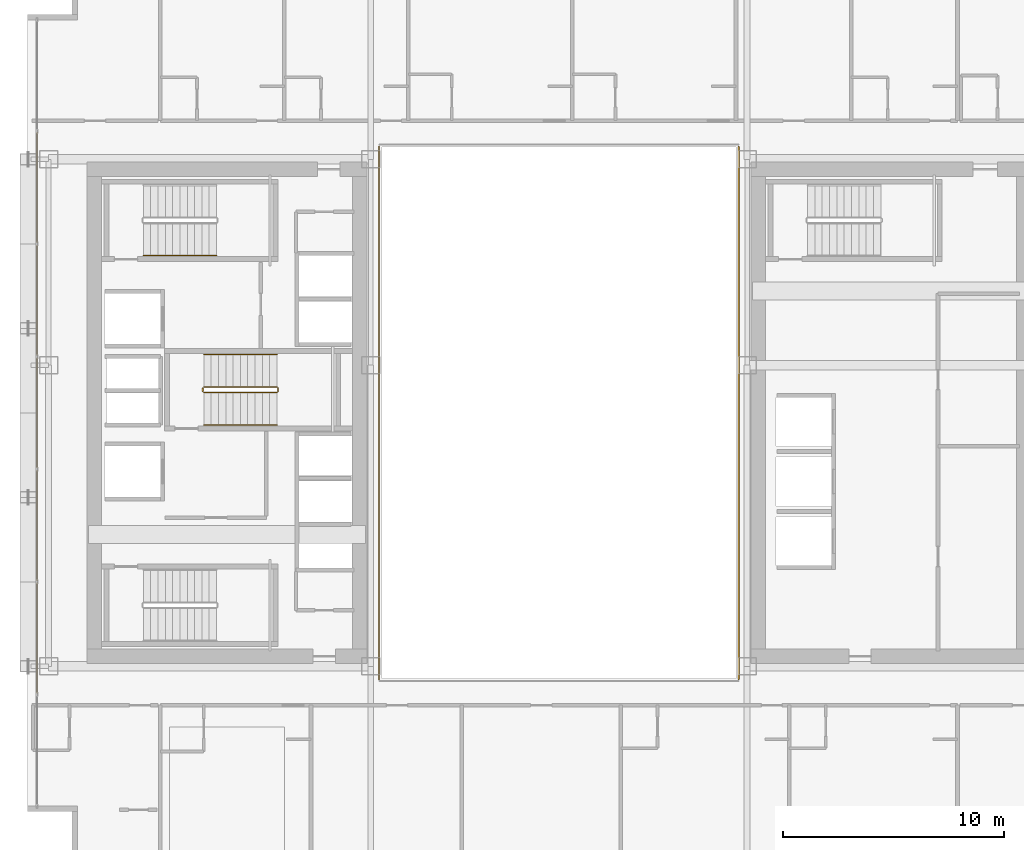
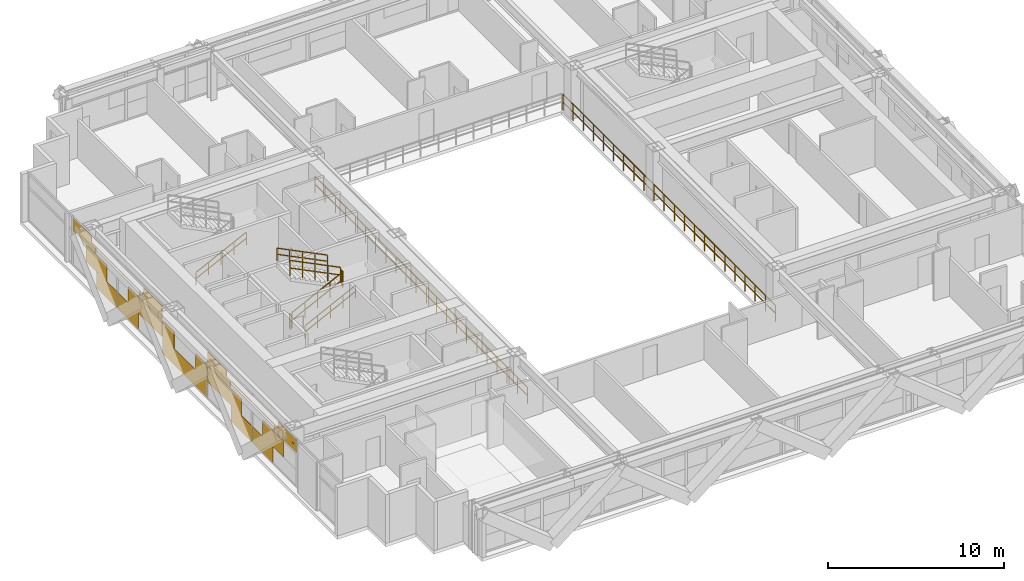
# One storey, part 33 of 35: 9 railings, 1 covering.
"""IFC4 building model written with IfcOpenShell, lengths in metres."""

from ifc_helpers import new_model, si_unit, direction, frame, origin, origin_2d, place, context, subcontext, project, spatial, rectangle, extrude, material, layer, layer_set, type_object, element, save


model = new_model("IFC4")

# Units and contexts
model_context = context("Model", 3, precision=1e-05, world=origin(), true_north=direction((0.0, 1.0)))
body_context = subcontext(model_context, "Body", "Model", "MODEL_VIEW")
ifc_project = project(units=[si_unit("LENGTHUNIT", "METRE"), si_unit("AREAUNIT", "SQUARE_METRE"), si_unit("VOLUMEUNIT", "CUBIC_METRE"), si_unit("PLANEANGLEUNIT", "RADIAN"), si_unit("MASSUNIT", "GRAM", prefix="KILO")], contexts=[model_context])

# Site, building, storey
site_placement = place(None, origin())
site = spatial("IfcSite", under=ifc_project, at=site_placement, CompositionType="ELEMENT")
building_placement = place(site_placement, origin())
building = spatial("IfcBuilding", under=site, at=building_placement, Name="Ocotamira Hotel", CompositionType="ELEMENT")
storey_placement = place(building_placement, frame((0.0, 0.0, 144.0)))
storey = spatial("IfcBuildingStorey", under=building, at=storey_placement, Name="L36", CompositionType="ELEMENT", Elevation=144.0)

# Covering
ifc_material_1 = material(Name="Insulated pale-metal aluminium spandrel panel", Category="aluminium")
ifc_layer = layer(ifc_material_1, 0.044921875)
ifc_layer_set = layer_set([ifc_layer], Name="Insulated pale-metal aluminium spandrel panel")
covering_type = type_object("IfcCoveringType", Name="COV-INFILL-45", PredefinedType="CLADDING", material=ifc_layer_set)
covering_placement = place(storey_placement, origin())
element("IfcCovering", 1, at=covering_placement, inside=storey, type_object=covering_type, Name="L36 Curtain Wall Infill CW-3 CW-L36-W", PredefinedType="CLADDING", context=body_context, shape_type="SweptSolid", body=[
    extrude(rectangle(XDim=2.35107421875, YDim=0.044921875, at=origin_2d()), frame((8.419921875, 15.988525390625, 1.1943359375), z_axis=(0.0, 0.0, 1.0), x_axis=(0.0, 1.0, 0.0)), (0.0, 0.0, 1.0), 1.117919921875),
    extrude(rectangle(XDim=2.331787109375, YDim=0.044921875, at=origin_2d()), frame((8.419921875, 17.1650390625, 0.07568359375), z_axis=(0.0, 0.0, 1.0), x_axis=(0.0, 1.0, 0.0)), (0.0, 0.0, 1.0), 1.117919921875),
    extrude(rectangle(XDim=2.572265625, YDim=0.044921875, at=origin_2d()), frame((8.419921875, 14.6123046875, 2.38818359375), z_axis=(0.0, 0.0, 1.0), x_axis=(0.0, 1.0, 0.0)), (0.0, 0.0, 1.0), 0.410400390625),
    extrude(rectangle(XDim=5.004638671875, YDim=0.044921875, at=origin_2d()), frame((8.419921875, 15.82861328125, 2.799560546875), z_axis=(0.0, 0.0, 1.0), x_axis=(0.0, 1.0, 0.0)), (0.0, 0.0, 1.0), 0.0361328125),
    extrude(rectangle(XDim=2.096435546875, YDim=0.044921875, at=origin_2d()), frame((8.419921875, 14.37451171875, 2.836669921875), z_axis=(0.0, 0.0, 1.0), x_axis=(0.0, 1.0, 0.0)), (0.0, 0.0, 1.0), 0.44775390625),
    extrude(rectangle(XDim=2.322265625, YDim=0.044921875, at=origin_2d()), frame((8.419921875, 19.572998046875, 0.07568359375), z_axis=(0.0, 0.0, 1.0), x_axis=(0.0, 1.0, 0.0)), (0.0, 0.0, 1.0), 1.117919921875),
    extrude(rectangle(XDim=3.847412109375, YDim=0.044921875, at=origin_2d()), frame((8.419921875, 21.492919921875, 1.1943359375), z_axis=(0.0, 0.0, 1.0), x_axis=(0.0, 1.0, 0.0)), (0.0, 0.0, 1.0), 1.117919921875),
    extrude(rectangle(XDim=5.004638671875, YDim=0.044921875, at=origin_2d()), frame((8.419921875, 20.914306640625, 2.799560546875), z_axis=(0.0, 0.0, 1.0), x_axis=(0.0, 1.0, 0.0)), (0.0, 0.0, 1.0), 0.0361328125),
    extrude(rectangle(XDim=2.581787109375, YDim=0.044921875, at=origin_2d()), frame((8.419921875, 22.125732421875, 2.38818359375), z_axis=(0.0, 0.0, 1.0), x_axis=(0.0, 1.0, 0.0)), (0.0, 0.0, 1.0), 0.410400390625),
    extrude(rectangle(XDim=2.106201171875, YDim=0.044921875, at=origin_2d()), frame((8.419921875, 22.363525390625, 2.836669921875), z_axis=(0.0, 0.0, 1.0), x_axis=(0.0, 1.0, 0.0)), (0.0, 0.0, 1.0), 0.44775390625),
    extrude(rectangle(XDim=5.004638671875, YDim=0.044921875, at=origin_2d()), frame((8.419921875, 26.0, 0.07568359375), z_axis=(0.0, 0.0, 1.0), x_axis=(0.0, 1.0, 0.0)), (0.0, 0.0, 1.0), 1.117919921875),
    extrude(rectangle(XDim=1.2998046875, YDim=0.044921875, at=origin_2d()), frame((8.419921875, 24.1474609375, 1.1943359375), z_axis=(0.0, 0.0, 1.0), x_axis=(0.0, 1.0, 0.0)), (0.0, 0.0, 1.0), 1.117919921875),
    extrude(rectangle(XDim=1.2998046875, YDim=0.044921875, at=origin_2d()), frame((8.419921875, 27.8525390625, 1.1943359375), z_axis=(0.0, 0.0, 1.0), x_axis=(0.0, 1.0, 0.0)), (0.0, 0.0, 1.0), 1.117919921875),
    extrude(rectangle(XDim=3.847412109375, YDim=0.044921875, at=origin_2d()), frame((8.419921875, 30.507080078125, 1.1943359375), z_axis=(0.0, 0.0, 1.0), x_axis=(0.0, 1.0, 0.0)), (0.0, 0.0, 1.0), 1.117919921875),
    extrude(rectangle(XDim=2.322265625, YDim=0.044921875, at=origin_2d()), frame((8.419921875, 32.427001953125, 0.07568359375), z_axis=(0.0, 0.0, 1.0), x_axis=(0.0, 1.0, 0.0)), (0.0, 0.0, 1.0), 1.117919921875),
    extrude(rectangle(XDim=2.581787109375, YDim=0.044921875, at=origin_2d()), frame((8.419921875, 29.874267578125, 2.38818359375), z_axis=(0.0, 0.0, 1.0), x_axis=(0.0, 1.0, 0.0)), (0.0, 0.0, 1.0), 0.410400390625),
    extrude(rectangle(XDim=5.004638671875, YDim=0.044921875, at=origin_2d()), frame((8.419921875, 31.085693359375, 2.799560546875), z_axis=(0.0, 0.0, 1.0), x_axis=(0.0, 1.0, 0.0)), (0.0, 0.0, 1.0), 0.0361328125),
    extrude(rectangle(XDim=2.106201171875, YDim=0.044921875, at=origin_2d()), frame((8.419921875, 29.636474609375, 2.836669921875), z_axis=(0.0, 0.0, 1.0), x_axis=(0.0, 1.0, 0.0)), (0.0, 0.0, 1.0), 0.44775390625),
    extrude(rectangle(XDim=2.331787109375, YDim=0.044921875, at=origin_2d()), frame((8.419921875, 34.8349609375, 0.07568359375), z_axis=(0.0, 0.0, 1.0), x_axis=(0.0, 1.0, 0.0)), (0.0, 0.0, 1.0), 1.117919921875),
    extrude(rectangle(XDim=2.35107421875, YDim=0.044921875, at=origin_2d()), frame((8.419921875, 36.011474609375, 1.1943359375), z_axis=(0.0, 0.0, 1.0), x_axis=(0.0, 1.0, 0.0)), (0.0, 0.0, 1.0), 1.117919921875),
    extrude(rectangle(XDim=5.004638671875, YDim=0.044921875, at=origin_2d()), frame((8.419921875, 36.17138671875, 2.799560546875), z_axis=(0.0, 0.0, 1.0), x_axis=(0.0, 1.0, 0.0)), (0.0, 0.0, 1.0), 0.0361328125),
    extrude(rectangle(XDim=2.572265625, YDim=0.044921875, at=origin_2d()), frame((8.419921875, 37.3876953125, 2.38818359375), z_axis=(0.0, 0.0, 1.0), x_axis=(0.0, 1.0, 0.0)), (0.0, 0.0, 1.0), 0.410400390625),
    extrude(rectangle(XDim=2.096435546875, YDim=0.044921875, at=origin_2d()), frame((8.419921875, 37.62548828125, 2.836669921875), z_axis=(0.0, 0.0, 1.0), x_axis=(0.0, 1.0, 0.0)), (0.0, 0.0, 1.0), 0.44775390625),
])

# Railings
ifc_material_2 = material(Name="Painted steel stair guardrail", Category="steel")
railing_type_1 = type_object("IfcRailingType", Name="RL-EDGE-1150", PredefinedType="GUARDRAIL", material=ifc_material_2)
railing_1_placement = place(storey_placement, frame((40.1201171875, 13.9599609375, 0.0)))
element("IfcRailing", 2, at=railing_1_placement, inside=storey, type_object=railing_type_1, Name="L36 Central Atrium Edge Guardrail E", PredefinedType="GUARDRAIL", context=body_context, shape_type="SweptSolid", body=[
    extrude(rectangle(XDim=0.048095703125, YDim=0.048095703125, at=origin_2d()), frame((0.0, 0.0, 1.1259765625), z_axis=(0.0, 1.0, 0.0), x_axis=(-1.0, 0.0, 0.0)), (0.0, 0.0, 1.0), 24.080078125),
    extrude(rectangle(XDim=0.048095703125, YDim=0.048095703125, at=origin_2d()), frame((0.0, 0.0, 0.574951171875), z_axis=(0.0, 1.0, 0.0), x_axis=(-1.0, 0.0, 0.0)), (0.0, 0.0, 1.0), 24.080078125),
    extrude(rectangle(XDim=0.0419921875, YDim=0.0419921875, at=origin_2d()), origin(), (0.0, 0.0, 1.0), 1.101806640625),
    extrude(rectangle(XDim=0.0419921875, YDim=0.0419921875, at=origin_2d()), frame((0.0, 1.146728515625, 0.0)), (0.0, 0.0, 1.0), 1.101806640625),
    extrude(rectangle(XDim=0.0419921875, YDim=0.0419921875, at=origin_2d()), frame((0.0, 2.29345703125, 0.0)), (0.0, 0.0, 1.0), 1.101806640625),
    extrude(rectangle(XDim=0.0419921875, YDim=0.0419921875, at=origin_2d()), frame((0.0, 3.43994140625, 0.0)), (0.0, 0.0, 1.0), 1.101806640625),
    extrude(rectangle(XDim=0.0419921875, YDim=0.0419921875, at=origin_2d()), frame((0.0, 4.586669921875, 0.0)), (0.0, 0.0, 1.0), 1.101806640625),
    extrude(rectangle(XDim=0.0419921875, YDim=0.0419921875, at=origin_2d()), frame((0.0, 5.7333984375, 0.0)), (0.0, 0.0, 1.0), 1.101806640625),
    extrude(rectangle(XDim=0.0419921875, YDim=0.0419921875, at=origin_2d()), frame((0.0, 6.880126953125, 0.0)), (0.0, 0.0, 1.0), 1.101806640625),
    extrude(rectangle(XDim=0.0419921875, YDim=0.0419921875, at=origin_2d()), frame((0.0, 8.026611328125, 0.0)), (0.0, 0.0, 1.0), 1.101806640625),
    extrude(rectangle(XDim=0.0419921875, YDim=0.0419921875, at=origin_2d()), frame((0.0, 9.17333984375, 0.0)), (0.0, 0.0, 1.0), 1.101806640625),
    extrude(rectangle(XDim=0.0419921875, YDim=0.0419921875, at=origin_2d()), frame((0.0, 10.320068359375, 0.0)), (0.0, 0.0, 1.0), 1.101806640625),
    extrude(rectangle(XDim=0.0419921875, YDim=0.0419921875, at=origin_2d()), frame((0.0, 11.466796875, 0.0)), (0.0, 0.0, 1.0), 1.101806640625),
    extrude(rectangle(XDim=0.0419921875, YDim=0.0419921875, at=origin_2d()), frame((0.0, 12.61328125, 0.0)), (0.0, 0.0, 1.0), 1.101806640625),
    extrude(rectangle(XDim=0.0419921875, YDim=0.0419921875, at=origin_2d()), frame((0.0, 13.760009765625, 0.0)), (0.0, 0.0, 1.0), 1.101806640625),
    extrude(rectangle(XDim=0.0419921875, YDim=0.0419921875, at=origin_2d()), frame((0.0, 14.90673828125, 0.0)), (0.0, 0.0, 1.0), 1.101806640625),
    extrude(rectangle(XDim=0.0419921875, YDim=0.0419921875, at=origin_2d()), frame((0.0, 16.053466796875, 0.0)), (0.0, 0.0, 1.0), 1.101806640625),
    extrude(rectangle(XDim=0.0419921875, YDim=0.0419921875, at=origin_2d()), frame((0.0, 17.199951171875, 0.0)), (0.0, 0.0, 1.0), 1.101806640625),
    extrude(rectangle(XDim=0.0419921875, YDim=0.0419921875, at=origin_2d()), frame((0.0, 18.3466796875, 0.0)), (0.0, 0.0, 1.0), 1.101806640625),
    extrude(rectangle(XDim=0.0419921875, YDim=0.0419921875, at=origin_2d()), frame((0.0, 19.493408203125, 0.0)), (0.0, 0.0, 1.0), 1.101806640625),
    extrude(rectangle(XDim=0.0419921875, YDim=0.0419921875, at=origin_2d()), frame((0.0, 20.64013671875, 0.0)), (0.0, 0.0, 1.0), 1.101806640625),
    extrude(rectangle(XDim=0.0419921875, YDim=0.0419921875, at=origin_2d()), frame((0.0, 21.78662109375, 0.0)), (0.0, 0.0, 1.0), 1.101806640625),
    extrude(rectangle(XDim=0.0419921875, YDim=0.0419921875, at=origin_2d()), frame((0.0, 22.933349609375, 0.0)), (0.0, 0.0, 1.0), 1.101806640625),
    extrude(rectangle(XDim=0.0419921875, YDim=0.0419921875, at=origin_2d()), frame((0.0, 24.080078125, 0.0)), (0.0, 0.0, 1.0), 1.101806640625),
])
railing_2_placement = place(storey_placement, frame((23.8798828125, 38.0400390625, 0.0)))
element("IfcRailing", 3, at=railing_2_placement, inside=storey, type_object=railing_type_1, Name="L36 Central Atrium Edge Guardrail W", PredefinedType="GUARDRAIL", context=body_context, shape_type="SweptSolid", body=[
    extrude(rectangle(XDim=0.048095703125, YDim=0.048095703125, at=origin_2d()), frame((0.0, 0.0, 1.1259765625), z_axis=(0.0, -1.0, 0.0), x_axis=(1.0, 0.0, 0.0)), (0.0, 0.0, 1.0), 24.080078125),
    extrude(rectangle(XDim=0.048095703125, YDim=0.048095703125, at=origin_2d()), frame((0.0, 0.0, 0.574951171875), z_axis=(0.0, -1.0, 0.0), x_axis=(1.0, 0.0, 0.0)), (0.0, 0.0, 1.0), 24.080078125),
    extrude(rectangle(XDim=0.0419921875, YDim=0.0419921875, at=origin_2d()), origin(), (0.0, 0.0, 1.0), 1.101806640625),
    extrude(rectangle(XDim=0.0419921875, YDim=0.0419921875, at=origin_2d()), frame((0.0, -1.146728515625, 0.0)), (0.0, 0.0, 1.0), 1.101806640625),
    extrude(rectangle(XDim=0.0419921875, YDim=0.0419921875, at=origin_2d()), frame((0.0, -2.29345703125, 0.0)), (0.0, 0.0, 1.0), 1.101806640625),
    extrude(rectangle(XDim=0.0419921875, YDim=0.0419921875, at=origin_2d()), frame((0.0, -3.43994140625, 0.0)), (0.0, 0.0, 1.0), 1.101806640625),
    extrude(rectangle(XDim=0.0419921875, YDim=0.0419921875, at=origin_2d()), frame((0.0, -4.586669921875, 0.0)), (0.0, 0.0, 1.0), 1.101806640625),
    extrude(rectangle(XDim=0.0419921875, YDim=0.0419921875, at=origin_2d()), frame((0.0, -5.7333984375, 0.0)), (0.0, 0.0, 1.0), 1.101806640625),
    extrude(rectangle(XDim=0.0419921875, YDim=0.0419921875, at=origin_2d()), frame((0.0, -6.880126953125, 0.0)), (0.0, 0.0, 1.0), 1.101806640625),
    extrude(rectangle(XDim=0.0419921875, YDim=0.0419921875, at=origin_2d()), frame((0.0, -8.026611328125, 0.0)), (0.0, 0.0, 1.0), 1.101806640625),
    extrude(rectangle(XDim=0.0419921875, YDim=0.0419921875, at=origin_2d()), frame((0.0, -9.17333984375, 0.0)), (0.0, 0.0, 1.0), 1.101806640625),
    extrude(rectangle(XDim=0.0419921875, YDim=0.0419921875, at=origin_2d()), frame((0.0, -10.320068359375, 0.0)), (0.0, 0.0, 1.0), 1.101806640625),
    extrude(rectangle(XDim=0.0419921875, YDim=0.0419921875, at=origin_2d()), frame((0.0, -11.466796875, 0.0)), (0.0, 0.0, 1.0), 1.101806640625),
    extrude(rectangle(XDim=0.0419921875, YDim=0.0419921875, at=origin_2d()), frame((0.0, -12.61328125, 0.0)), (0.0, 0.0, 1.0), 1.101806640625),
    extrude(rectangle(XDim=0.0419921875, YDim=0.0419921875, at=origin_2d()), frame((0.0, -13.760009765625, 0.0)), (0.0, 0.0, 1.0), 1.101806640625),
    extrude(rectangle(XDim=0.0419921875, YDim=0.0419921875, at=origin_2d()), frame((0.0, -14.90673828125, 0.0)), (0.0, 0.0, 1.0), 1.101806640625),
    extrude(rectangle(XDim=0.0419921875, YDim=0.0419921875, at=origin_2d()), frame((0.0, -16.053466796875, 0.0)), (0.0, 0.0, 1.0), 1.101806640625),
    extrude(rectangle(XDim=0.0419921875, YDim=0.0419921875, at=origin_2d()), frame((0.0, -17.199951171875, 0.0)), (0.0, 0.0, 1.0), 1.101806640625),
    extrude(rectangle(XDim=0.0419921875, YDim=0.0419921875, at=origin_2d()), frame((0.0, -18.3466796875, 0.0)), (0.0, 0.0, 1.0), 1.101806640625),
    extrude(rectangle(XDim=0.0419921875, YDim=0.0419921875, at=origin_2d()), frame((0.0, -19.493408203125, 0.0)), (0.0, 0.0, 1.0), 1.101806640625),
    extrude(rectangle(XDim=0.0419921875, YDim=0.0419921875, at=origin_2d()), frame((0.0, -20.64013671875, 0.0)), (0.0, 0.0, 1.0), 1.101806640625),
    extrude(rectangle(XDim=0.0419921875, YDim=0.0419921875, at=origin_2d()), frame((0.0, -21.78662109375, 0.0)), (0.0, 0.0, 1.0), 1.101806640625),
    extrude(rectangle(XDim=0.0419921875, YDim=0.0419921875, at=origin_2d()), frame((0.0, -22.933349609375, 0.0)), (0.0, 0.0, 1.0), 1.101806640625),
    extrude(rectangle(XDim=0.0419921875, YDim=0.0419921875, at=origin_2d()), frame((0.0, -24.080078125, 0.0)), (0.0, 0.0, 1.0), 1.101806640625),
])
ifc_material_3 = material(Name="Brushed stainless steel handrail", Category="steel")
railing_type_2 = type_object("IfcRailingType", Name="RL-HAND-900", PredefinedType="HANDRAIL", material=ifc_material_3)
for number, where, name in (
    (4, (13.22998046875, 33.10009765625, 0.327392578125), "L36 ST-2 stair handrail 1"),
    (5, (15.9599609375, 25.449951171875, 0.327392578125), "L36 ST-3 stair handrail 1"),
):
    element("IfcRailing", number, at=place(storey_placement, frame(where)), inside=storey, type_object=railing_type_2, Name=name, PredefinedType="HANDRAIL", context=body_context, shape_type="SweptSolid", body=[
        extrude(rectangle(XDim=0.048095703125, YDim=0.048095703125, at=origin_2d()), frame((0.0, 0.0, 0.8759765625), z_axis=(0.895920123917, 0.0, 0.444215186098), x_axis=(0.0, 1.0, 0.0)), (0.0, 0.0, 1.0), 3.683349609375),
        extrude(rectangle(XDim=0.048095703125, YDim=0.048095703125, at=origin_2d()), frame((0.0, 0.0, 0.449951171875), z_axis=(0.895920123917, 0.0, 0.444215186098), x_axis=(0.0, 1.0, 0.0)), (0.0, 0.0, 1.0), 3.683349609375),
        extrude(rectangle(XDim=0.0419921875, YDim=0.0419921875, at=origin_2d()), origin(), (0.0, 0.0, 1.0), 0.851806640625),
        extrude(rectangle(XDim=0.0419921875, YDim=0.0419921875, at=origin_2d()), frame((0.824951171875, 0.0, 0.4091796875)), (0.0, 0.0, 1.0), 0.851806640625),
        extrude(rectangle(XDim=0.0419921875, YDim=0.0419921875, at=origin_2d()), frame((1.64990234375, 0.0, 0.818115234375)), (0.0, 0.0, 1.0), 0.851806640625),
        extrude(rectangle(XDim=0.0419921875, YDim=0.0419921875, at=origin_2d()), frame((2.47509765625, 0.0, 1.22705078125)), (0.0, 0.0, 1.0), 0.851806640625),
        extrude(rectangle(XDim=0.0419921875, YDim=0.0419921875, at=origin_2d()), frame((3.300048828125, 0.0, 1.63623046875)), (0.0, 0.0, 1.0), 0.851806640625),
    ])
railing_3_placement = place(storey_placement, frame((19.260009765625, 28.6298828125, 2.127197265625)))
element("IfcRailing", 6, at=railing_3_placement, inside=storey, type_object=railing_type_2, Name="L36 ST-3 stair handrail 2", PredefinedType="HANDRAIL", context=body_context, shape_type="SweptSolid", body=[
    extrude(rectangle(XDim=0.048095703125, YDim=0.048095703125, at=origin_2d()), frame((0.0, 0.0, 0.8759765625), z_axis=(-0.895893744519, 0.0, 0.4442683857), x_axis=(0.0, -1.0, 0.0)), (0.0, 0.0, 1.0), 3.68359375),
    extrude(rectangle(XDim=0.048095703125, YDim=0.048095703125, at=origin_2d()), frame((0.0, 0.0, 0.449951171875), z_axis=(-0.895893744519, 0.0, 0.4442683857), x_axis=(0.0, -1.0, 0.0)), (0.0, 0.0, 1.0), 3.68359375),
    extrude(rectangle(XDim=0.0419921875, YDim=0.0419921875, at=origin_2d()), origin(), (0.0, 0.0, 1.0), 0.851806640625),
    extrude(rectangle(XDim=0.0419921875, YDim=0.0419921875, at=origin_2d()), frame((-0.824951171875, 0.0, 0.4091796875)), (0.0, 0.0, 1.0), 0.851806640625),
    extrude(rectangle(XDim=0.0419921875, YDim=0.0419921875, at=origin_2d()), frame((-1.64990234375, 0.0, 0.818359375)), (0.0, 0.0, 1.0), 0.851806640625),
    extrude(rectangle(XDim=0.0419921875, YDim=0.0419921875, at=origin_2d()), frame((-2.47509765625, 0.0, 1.227294921875)), (0.0, 0.0, 1.0), 0.851806640625),
    extrude(rectangle(XDim=0.0419921875, YDim=0.0419921875, at=origin_2d()), frame((-3.300048828125, 0.0, 1.636474609375)), (0.0, 0.0, 1.0), 0.851806640625),
])
railing_type_3 = type_object("IfcRailingType", Name="RL-STAIR-1100", PredefinedType="GUARDRAIL", material=ifc_material_2)
railing_4_placement = place(storey_placement, frame((15.9599609375, 26.909912109375, 0.16357421875)))
element("IfcRailing", 7, at=railing_4_placement, inside=storey, type_object=railing_type_3, Name="L36 ST-3 stair guard 1", PredefinedType="GUARDRAIL", context=body_context, shape_type="SweptSolid", body=[
    extrude(rectangle(XDim=0.048095703125, YDim=0.048095703125, at=origin_2d()), frame((0.0, 0.0, 1.076171875), z_axis=(0.895893744519, 0.0, 0.4442683857), x_axis=(0.0, 1.0, 0.0)), (0.0, 0.0, 1.0), 3.68359375),
    extrude(rectangle(XDim=0.048095703125, YDim=0.048095703125, at=origin_2d()), frame((0.0, 0.0, 0.550048828125), z_axis=(0.895893744519, 0.0, 0.4442683857), x_axis=(0.0, 1.0, 0.0)), (0.0, 0.0, 1.0), 3.68359375),
    extrude(rectangle(XDim=0.0419921875, YDim=0.0419921875, at=origin_2d()), origin(), (0.0, 0.0, 1.0), 1.052001953125),
    extrude(rectangle(XDim=0.0419921875, YDim=0.0419921875, at=origin_2d()), frame((0.824951171875, 0.0, 0.4091796875)), (0.0, 0.0, 1.0), 1.052001953125),
    extrude(rectangle(XDim=0.0419921875, YDim=0.0419921875, at=origin_2d()), frame((1.64990234375, 0.0, 0.818359375)), (0.0, 0.0, 1.0), 1.052001953125),
    extrude(rectangle(XDim=0.0419921875, YDim=0.0419921875, at=origin_2d()), frame((2.47509765625, 0.0, 1.227294921875)), (0.0, 0.0, 1.0), 1.052001953125),
    extrude(rectangle(XDim=0.0419921875, YDim=0.0419921875, at=origin_2d()), frame((3.300048828125, 0.0, 1.636474609375)), (0.0, 0.0, 1.0), 1.052001953125),
])
railing_5_placement = place(storey_placement, frame((19.31005859375, 26.9599609375, 1.800048828125)))
element("IfcRailing", 8, at=railing_5_placement, inside=storey, type_object=railing_type_3, Name="L36 ST-3 stair guard 2", PredefinedType="GUARDRAIL", context=body_context, shape_type="SweptSolid", body=[
    extrude(rectangle(XDim=0.048095703125, YDim=0.048095703125, at=origin_2d()), frame((0.0, 0.0, 1.076171875), z_axis=(0.0, 1.0, 0.0), x_axis=(-1.0, 0.0, 0.0)), (0.0, 0.0, 1.0), 0.16015625),
    extrude(rectangle(XDim=0.048095703125, YDim=0.048095703125, at=origin_2d()), frame((0.0, 0.0, 0.550048828125), z_axis=(0.0, 1.0, 0.0), x_axis=(-1.0, 0.0, 0.0)), (0.0, 0.0, 1.0), 0.16015625),
    extrude(rectangle(XDim=0.0419921875, YDim=0.0419921875, at=origin_2d()), origin(), (0.0, 0.0, 1.0), 1.052001953125),
    extrude(rectangle(XDim=0.0419921875, YDim=0.0419921875, at=origin_2d()), frame((0.0, 0.16015625, 0.0)), (0.0, 0.0, 1.0), 1.052001953125),
])
railing_6_placement = place(storey_placement, frame((19.260009765625, 27.169921875, 1.963623046875)))
element("IfcRailing", 9, at=railing_6_placement, inside=storey, type_object=railing_type_3, Name="L36 ST-3 stair guard 3", PredefinedType="GUARDRAIL", context=body_context, shape_type="SweptSolid", body=[
    extrude(rectangle(XDim=0.048095703125, YDim=0.048095703125, at=origin_2d()), frame((0.0, 0.0, 1.076171875), z_axis=(-0.895893744519, 0.0, 0.4442683857), x_axis=(0.0, -1.0, 0.0)), (0.0, 0.0, 1.0), 3.68359375),
    extrude(rectangle(XDim=0.048095703125, YDim=0.048095703125, at=origin_2d()), frame((0.0, 0.0, 0.550048828125), z_axis=(-0.895893744519, 0.0, 0.4442683857), x_axis=(0.0, -1.0, 0.0)), (0.0, 0.0, 1.0), 3.68359375),
    extrude(rectangle(XDim=0.0419921875, YDim=0.0419921875, at=origin_2d()), origin(), (0.0, 0.0, 1.0), 1.052001953125),
    extrude(rectangle(XDim=0.0419921875, YDim=0.0419921875, at=origin_2d()), frame((-0.824951171875, 0.0, 0.4091796875)), (0.0, 0.0, 1.0), 1.052001953125),
    extrude(rectangle(XDim=0.0419921875, YDim=0.0419921875, at=origin_2d()), frame((-1.64990234375, 0.0, 0.818359375)), (0.0, 0.0, 1.0), 1.052001953125),
    extrude(rectangle(XDim=0.0419921875, YDim=0.0419921875, at=origin_2d()), frame((-2.47509765625, 0.0, 1.227294921875)), (0.0, 0.0, 1.0), 1.052001953125),
    extrude(rectangle(XDim=0.0419921875, YDim=0.0419921875, at=origin_2d()), frame((-3.300048828125, 0.0, 1.636474609375)), (0.0, 0.0, 1.0), 1.052001953125),
])
railing_7_placement = place(storey_placement, frame((15.909912109375, 26.9599609375, 0.0)))
element("IfcRailing", 10, at=railing_7_placement, inside=storey, type_object=railing_type_3, Name="L36 ST-3 stair guard 4", PredefinedType="GUARDRAIL", context=body_context, shape_type="SweptSolid", body=[
    extrude(rectangle(XDim=0.048095703125, YDim=0.048095703125, at=origin_2d()), frame((0.0, 0.0, 1.076171875), z_axis=(0.0, 1.0, 0.0), x_axis=(-1.0, 0.0, 0.0)), (0.0, 0.0, 1.0), 0.16015625),
    extrude(rectangle(XDim=0.048095703125, YDim=0.048095703125, at=origin_2d()), frame((0.0, 0.0, 0.550048828125), z_axis=(0.0, 1.0, 0.0), x_axis=(-1.0, 0.0, 0.0)), (0.0, 0.0, 1.0), 0.16015625),
    extrude(rectangle(XDim=0.0419921875, YDim=0.0419921875, at=origin_2d()), origin(), (0.0, 0.0, 1.0), 1.052001953125),
    extrude(rectangle(XDim=0.0419921875, YDim=0.0419921875, at=origin_2d()), frame((0.0, 0.16015625, 0.0)), (0.0, 0.0, 1.0), 1.052001953125),
])

save(model, "model.ifc")
